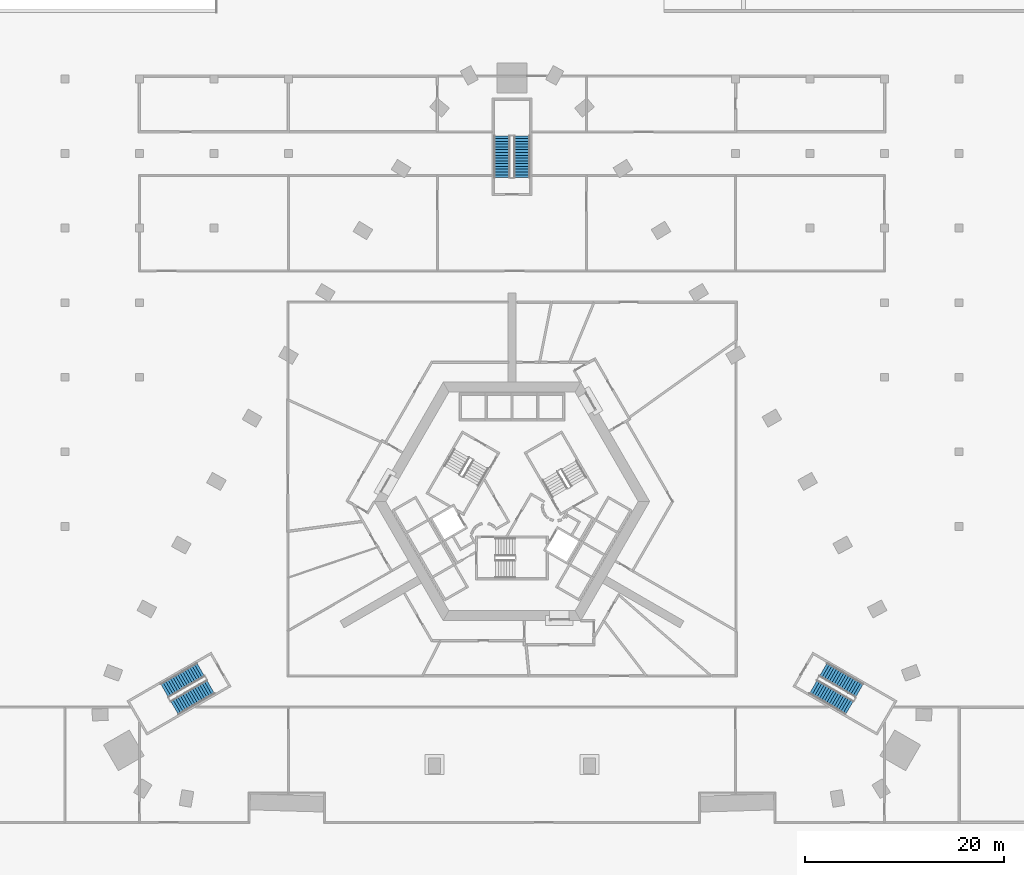
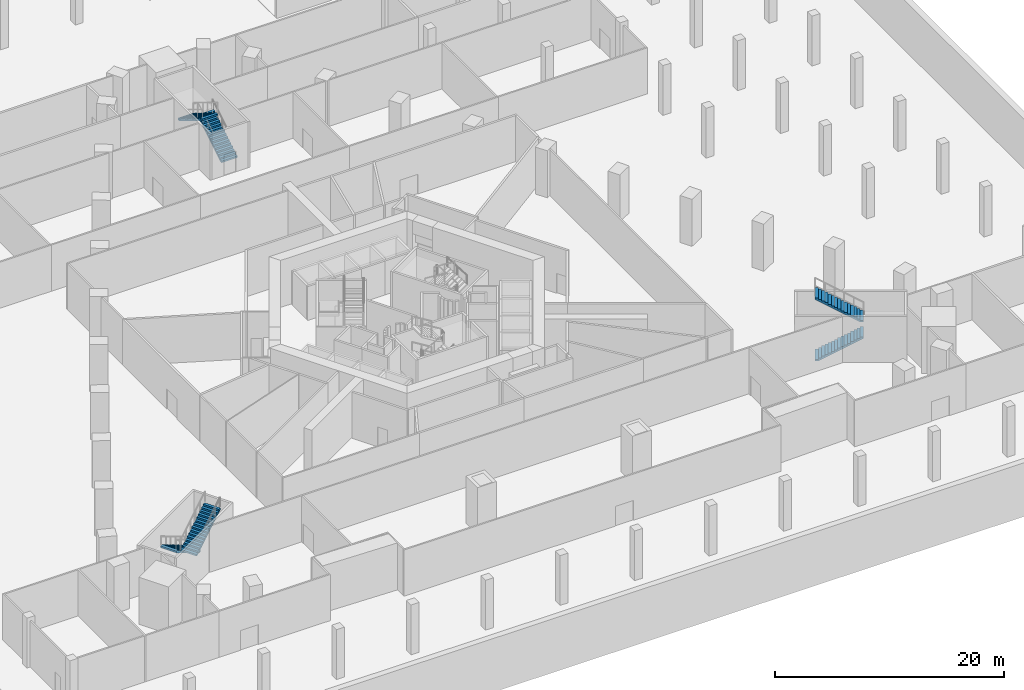
# One storey, part 14 of 20: 6 stair flights, 3 elements without a shape of their own.
"""IFC4 building model written with IfcOpenShell, lengths in metres."""

import ifcopenshell
import ifcopenshell.guid

model = None  # the IFC model being written
_history = None  # IfcOwnerHistory: only IFC2X3 demands one
_inside = {}  # id of a spatial element -> (the spatial element, [elements in it])
_under = {}  # id of a project, library or spatial element -> (it, [spatial elements below it])
_declared = {}  # id of a project -> (the project, [libraries it declares])
_typed = {}  # id of a type object -> (the type object, [elements of that type])
_made_of = {}  # id of a material, layer set ... -> (it, [elements and type objects made of it])


def new_model(schema):
    """Start an empty IFC model of exactly this schema.

    Asked for "IFC4X3", IfcOpenShell would pick the latest addendum, in which some entities
    have other attributes; the version numbers below select the first issue.
    IFC2X3 requires an IfcOwnerHistory on every rooted entity: one is made here for all.
    """
    global model, _history
    if schema == "IFC4X3":
        model = ifcopenshell.file(schema_version=(4, 3, 0, 0))
    else:
        model = ifcopenshell.file(schema=schema)
    _inside.clear()
    _under.clear()
    _declared.clear()
    _typed.clear()
    _made_of.clear()
    _history = None
    if model.schema == "IFC2X3":
        org = make("IfcOrganization", Name="unknown")
        user = make(
            "IfcPersonAndOrganization",
            ThePerson=make("IfcPerson", FamilyName="unknown"),
            TheOrganization=org,
        )
        app = make(
            "IfcApplication",
            ApplicationDeveloper=org,
            Version="unknown",
            ApplicationFullName="unknown",
            ApplicationIdentifier="unknown",
        )
        _history = make(
            "IfcOwnerHistory",
            OwningUser=user,
            OwningApplication=app,
            ChangeAction="ADDED",
            CreationDate=0,
        )
    return model


def make(cls, **values):
    """One entity of the class cls with the attributes given. An attribute that is None is left unset."""
    return model.create_entity(
        cls, **{name: value for name, value in values.items() if value is not None}
    )


def rooted(cls, **values):
    """An entity with a GlobalId (a new one), such as an element, a storey or a relation."""
    return make(cls, GlobalId=ifcopenshell.guid.new(), OwnerHistory=_history, **values)


def si_unit(unit_type, name, prefix=None):
    """IfcSIUnit, for example si_unit("LENGTHUNIT", "METRE", prefix="MILLI")."""
    return make("IfcSIUnit", UnitType=unit_type, Prefix=prefix, Name=name)


def assignment(units):
    """IfcUnitAssignment: the units of a project."""
    return None if units is None else make("IfcUnitAssignment", Units=units)


def point(xyz):
    """IfcCartesianPoint."""
    return None if xyz is None else make("IfcCartesianPoint", Coordinates=xyz)


def direction(xyz):
    """IfcDirection."""
    return None if xyz is None else make("IfcDirection", DirectionRatios=xyz)


def frame(location, z_axis=None, x_axis=None):
    """IfcAxis2Placement3D, a coordinate frame: its origin and axes. An axis left out is left unset."""
    return make(
        "IfcAxis2Placement3D",
        Location=point(location),
        Axis=direction(z_axis),
        RefDirection=direction(x_axis),
    )


def origin():
    """The frame at (0, 0, 0) with its axes left unset."""
    return frame((0.0, 0.0, 0.0))


def place(relative_to, where):
    """IfcLocalPlacement: puts the frame where relative to a parent placement (None: the world)."""
    return make(
        "IfcLocalPlacement", PlacementRelTo=relative_to, RelativePlacement=where
    )


def context(
    kind, dimensions, precision=None, world=None, true_north=None, identifier=None
):
    """IfcGeometricRepresentationContext, for example the 3D "Model" context."""
    return make(
        "IfcGeometricRepresentationContext",
        ContextIdentifier=identifier,
        ContextType=kind,
        CoordinateSpaceDimension=dimensions,
        Precision=precision,
        WorldCoordinateSystem=world,
        TrueNorth=true_north,
    )


def subcontext(parent, identifier, kind, view, scale=None):
    """IfcGeometricRepresentationSubContext, for example "Body" below "Model"."""
    return make(
        "IfcGeometricRepresentationSubContext",
        ContextIdentifier=identifier,
        ContextType=kind,
        ParentContext=parent,
        TargetScale=scale,
        TargetView=view,
    )


def project(units=None, contexts=None):
    """IfcProject with its units and contexts."""
    return rooted(
        "IfcProject",
        Name="project",
        RepresentationContexts=contexts,
        UnitsInContext=assignment(units),
    )


def spatial(cls, under=None, at=None, **own):
    """A site, building, storey or space (cls), placed at a placement, below another one or the project."""
    s = rooted(cls, ObjectPlacement=at, **own)
    if under is not None:
        _under.setdefault(under.id(), (under, []))[1].append(s)
    return s


def polyline(points):
    """IfcPolyline through the points."""
    return make("IfcPolyline", Points=[point(p) for p in points])


def outline(outer, holes=None, kind="AREA"):
    """IfcArbitraryClosedProfileDef: a profile drawn as a closed curve; with holes, ...WithVoids."""
    if holes is None:
        return make("IfcArbitraryClosedProfileDef", ProfileType=kind, OuterCurve=outer)
    return make(
        "IfcArbitraryProfileDefWithVoids",
        ProfileType=kind,
        OuterCurve=outer,
        InnerCurves=holes,
    )


def extrude(swept, where, along, depth):
    """IfcExtrudedAreaSolid: the profile swept, set in the frame where, extruded along a direction by depth."""
    return make(
        "IfcExtrudedAreaSolid",
        SweptArea=swept,
        Position=where,
        ExtrudedDirection=direction(along),
        Depth=depth,
    )


def shape(context_of_items, identifier, shape_type, items):
    """IfcShapeRepresentation: the items that make up one representation, for example the "Body"."""
    return make(
        "IfcShapeRepresentation",
        ContextOfItems=context_of_items,
        RepresentationIdentifier=identifier,
        RepresentationType=shape_type,
        Items=items,
    )


def material(Name=None, Category=None):
    """IfcMaterial."""
    return make("IfcMaterial", Name=Name, Category=Category)


def made_of(thing, what):
    """Note that an element or type object is made of a material, layer set ...; save() writes the relation."""
    if what is not None:
        _made_of.setdefault(what.id(), (what, []))[1].append(thing)
    return thing


def type_object(cls, material=None, **own):
    """A type object (cls), such as IfcWallType, which elements share."""
    return made_of(rooted(cls, **own), material)


def element(
    cls,
    number,
    at=None,
    inside=None,
    cuts=None,
    type_object=None,
    material=None,
    context=None,
    identifier="Body",
    shape_type=None,
    held_by="IfcProductDefinitionShape",
    body=None,
    shapes=None,
    **own,
):
    """One element of the class cls, such as IfcWall. Its Tag is "e" and its number.

    at: its placement. inside: the storey or other place that contains it. cuts: it is an
    opening in that element (IfcRelVoidsElement). A single representation is given by context,
    identifier, shape_type and body (its items); several are given by shapes. held_by: the class
    of the entity that holds the representations. save() writes the other relations.
    """
    e = rooted(cls, Tag="e%d" % number, ObjectPlacement=at, **own)
    if body is not None:
        shapes = [shape(context, identifier, shape_type, body)]
    if shapes is not None:
        e.Representation = make(held_by, Representations=shapes)
    if inside is not None:
        _inside.setdefault(inside.id(), (inside, []))[1].append(e)
    if cuts is not None:
        rooted(
            "IfcRelVoidsElement", RelatingBuildingElement=cuts, RelatedOpeningElement=e
        )
    if type_object is not None:
        _typed.setdefault(type_object.id(), (type_object, []))[1].append(e)
    return made_of(e, material)


def aggregate(whole, parts):
    """IfcRelAggregates: a whole, such as a stair, and the parts it consists of."""
    return rooted("IfcRelAggregates", RelatingObject=whole, RelatedObjects=parts)


def save(model, path):
    """Write the relations noted so far, then the file.

    IfcRelAggregates (storeys below a building ...), IfcRelContainedInSpatialStructure (elements
    in a storey), IfcRelDefinesByType, IfcRelAssociatesMaterial and IfcRelDeclares: one each for
    every whole, place, type object, material and project.
    """
    for whole, parts in _under.values():
        aggregate(whole, parts)
    for where, things in _inside.values():
        rooted(
            "IfcRelContainedInSpatialStructure",
            RelatedElements=things,
            RelatingStructure=where,
        )
    for kind, things in _typed.values():
        rooted("IfcRelDefinesByType", RelatedObjects=things, RelatingType=kind)
    for what, things in _made_of.values():
        rooted("IfcRelAssociatesMaterial", RelatedObjects=things, RelatingMaterial=what)
    for by, libraries in _declared.values():
        rooted("IfcRelDeclares", RelatingContext=by, RelatedDefinitions=libraries)
    model.write(path)


model = new_model("IFC4")

# Units and contexts
model_context = context("Model", 3, precision=1e-05, world=origin(), true_north=direction((0.0, 1.0)))
body_context = subcontext(model_context, "Body", "Model", "MODEL_VIEW")
ifc_project = project(units=[si_unit("LENGTHUNIT", "METRE"), si_unit("AREAUNIT", "SQUARE_METRE"), si_unit("VOLUMEUNIT", "CUBIC_METRE"), si_unit("PLANEANGLEUNIT", "RADIAN"), si_unit("MASSUNIT", "GRAM", prefix="KILO")], contexts=[model_context])

# Site, building, storey
site_placement = place(None, origin())
site = spatial("IfcSite", under=ifc_project, at=site_placement, CompositionType="ELEMENT")
building_placement = place(site_placement, origin())
building = spatial("IfcBuilding", under=site, at=building_placement, Name="Entoto Arch Interchange Tower", CompositionType="ELEMENT")
storey_placement = place(building_placement, frame((0.0, 0.0, -5.5)))
storey = spatial("IfcBuildingStorey", under=building, at=storey_placement, Name="B1", CompositionType="ELEMENT", Elevation=-5.5)

# Stair, stair flights
ifc_material = material(Name="Concrete C40/50", Category="concrete")
stair_type = type_object("IfcStairType", Name="PODIUM EXIT STAIR RC 1600", PredefinedType="HALF_TURN_STAIR", material=ifc_material)
stair_1_placement = place(storey_placement, origin())
stair_1 = element("IfcStair", 1, at=stair_1_placement, inside=storey, type_object=stair_type, Name="B1 Podium exit stair north", PredefinedType="HALF_TURN_STAIR")
stair_flight_type = type_object("IfcStairFlightType", Name="PODIUM EXIT STAIR FLIGHT RC", PredefinedType="STRAIGHT", material=ifc_material)
stair_flight_1_placement = place(storey_placement, frame((1.0, 35.10009765625, 0.0), z_axis=(0.0, 0.0, 1.0), x_axis=(0.0, 1.0, 0.0)))
stair_flight_1 = element("IfcStairFlight", 2, at=stair_flight_1_placement, type_object=stair_flight_type, Name="PST-N flight 1", NumberOfRisers=16, NumberOfTreads=15, PredefinedType="STRAIGHT", RiserHeight=0.171875, TreadLength=0.28, context=body_context, shape_type="SweptSolid", body=[
    extrude(outline(polyline([(-0.0029296875, 0.0), (-0.0029296875, 0.171875), (0.280029296875, 0.171875), (0.280029296875, 0.34375), (0.56005859375, 0.34375), (0.56005859375, 0.515625), (0.840087890625, 0.515625), (0.840087890625, 0.6875), (1.1201171875, 0.6875), (1.1201171875, 0.859375), (1.39990234375, 0.859375), (1.39990234375, 1.03125), (1.679931640625, 1.03125), (1.679931640625, 1.203125), (1.9599609375, 1.203125), (1.9599609375, 1.375), (2.239990234375, 1.375), (2.239990234375, 1.546875), (2.52001953125, 1.546875), (2.52001953125, 1.71875), (2.800048828125, 1.71875), (2.800048828125, 1.890625), (3.080078125, 1.890625), (3.080078125, 2.0625), (3.360107421875, 2.0625), (3.360107421875, 2.234375), (3.639892578125, 2.234375), (3.639892578125, 2.40625), (3.919921875, 2.40625), (3.919921875, 2.578125), (4.199951171875, 2.578125), (4.202880859375, 2.578125), (4.202880859375, 2.404052734375), (0.28662109375, 0.0), (-0.0029296875, 0.0)])), frame((0.0, 0.800048828125, 0.0), z_axis=(0.0, -1.0, 0.0), x_axis=(1.0, 0.0, 0.0)), (0.0, 0.0, 1.0), 1.60009765625),
])
stair_flight_2_placement = place(storey_placement, frame((-1.0, 39.300048828125, 2.75), z_axis=(0.0, 0.0, 1.0), x_axis=(0.0, -1.0, 0.0)))
stair_flight_2 = element("IfcStairFlight", 3, at=stair_flight_2_placement, type_object=stair_flight_type, Name="PST-N flight 2", NumberOfRisers=16, NumberOfTreads=15, PredefinedType="STRAIGHT", RiserHeight=0.171875, TreadLength=0.28, context=body_context, shape_type="SweptSolid", body=[
    extrude(outline(polyline([(-0.0029296875, 0.0), (-0.0029296875, 0.171875), (0.280029296875, 0.171875), (0.280029296875, 0.34375), (0.56005859375, 0.34375), (0.56005859375, 0.515625), (0.840087890625, 0.515625), (0.840087890625, 0.6875), (1.1201171875, 0.6875), (1.1201171875, 0.859375), (1.39990234375, 0.859375), (1.39990234375, 1.03125), (1.679931640625, 1.03125), (1.679931640625, 1.203125), (1.9599609375, 1.203125), (1.9599609375, 1.375), (2.239990234375, 1.375), (2.239990234375, 1.546875), (2.52001953125, 1.546875), (2.52001953125, 1.71875), (2.800048828125, 1.71875), (2.800048828125, 1.890625), (3.080078125, 1.890625), (3.080078125, 2.0625), (3.360107421875, 2.0625), (3.360107421875, 2.234375), (3.639892578125, 2.234375), (3.639892578125, 2.40625), (3.919921875, 2.40625), (3.919921875, 2.578125), (4.199951171875, 2.578125), (4.202880859375, 2.578125), (4.202880859375, 2.404052734375), (0.28662109375, 0.0), (-0.0029296875, 0.0)])), frame((0.0, 0.800048828125, 0.0), z_axis=(0.0, -1.0, 0.0), x_axis=(1.0, 0.0, 0.0)), (0.0, 0.0, 1.0), 1.60009765625),
])
aggregate(stair_1, [stair_flight_1, stair_flight_2])

stair_2_placement = place(storey_placement, origin())
stair_2 = element("IfcStair", 4, at=stair_2_placement, inside=storey, type_object=stair_type, Name="B1 Podium exit stair south-west", PredefinedType="HALF_TURN_STAIR")
stair_flight_3_placement = place(storey_placement, frame((-31.33056640625, -14.43408203125, 0.0), z_axis=(0.0, 0.0, 1.0), x_axis=(-0.866025403784, -0.5, 0.0)))
stair_flight_3 = element("IfcStairFlight", 5, at=stair_flight_3_placement, type_object=stair_flight_type, Name="PST-SW flight 1", NumberOfRisers=16, NumberOfTreads=15, PredefinedType="STRAIGHT", RiserHeight=0.171875, TreadLength=0.28, context=body_context, shape_type="SweptSolid", body=[
    extrude(outline(polyline([(-0.0029296875, 0.0), (-0.0029296875, 0.171875), (0.280029296875, 0.171875), (0.280029296875, 0.34375), (0.56005859375, 0.34375), (0.56005859375, 0.515625), (0.840087890625, 0.515625), (0.840087890625, 0.6875), (1.1201171875, 0.6875), (1.1201171875, 0.859375), (1.39990234375, 0.859375), (1.39990234375, 1.03125), (1.679931640625, 1.03125), (1.679931640625, 1.203125), (1.9599609375, 1.203125), (1.9599609375, 1.375), (2.239990234375, 1.375), (2.239990234375, 1.546875), (2.52001953125, 1.546875), (2.52001953125, 1.71875), (2.800048828125, 1.71875), (2.800048828125, 1.890625), (3.080078125, 1.890625), (3.080078125, 2.0625), (3.360107421875, 2.0625), (3.360107421875, 2.234375), (3.639892578125, 2.234375), (3.639892578125, 2.40625), (3.919921875, 2.40625), (3.919921875, 2.578125), (4.199951171875, 2.578125), (4.202880859375, 2.578125), (4.202880859375, 2.404052734375), (0.28662109375, 0.0), (-0.0029296875, 0.0)])), frame((0.0, 0.800048828125, 0.0), z_axis=(0.0, -1.0, 0.0), x_axis=(1.0, 0.0, 0.0)), (0.0, 0.0, 1.0), 1.60009765625),
])
stair_flight_4_placement = place(storey_placement, frame((-33.9677734375, -18.26611328125, 2.75), z_axis=(0.0, 0.0, 1.0), x_axis=(0.866025403784, 0.5, 0.0)))
stair_flight_4 = element("IfcStairFlight", 6, at=stair_flight_4_placement, type_object=stair_flight_type, Name="PST-SW flight 2", NumberOfRisers=16, NumberOfTreads=15, PredefinedType="STRAIGHT", RiserHeight=0.171875, TreadLength=0.28, context=body_context, shape_type="SweptSolid", body=[
    extrude(outline(polyline([(-0.0029296875, 0.0), (-0.0029296875, 0.171875), (0.280029296875, 0.171875), (0.280029296875, 0.34375), (0.56005859375, 0.34375), (0.56005859375, 0.515625), (0.840087890625, 0.515625), (0.840087890625, 0.6875), (1.1201171875, 0.6875), (1.1201171875, 0.859375), (1.39990234375, 0.859375), (1.39990234375, 1.03125), (1.679931640625, 1.03125), (1.679931640625, 1.203125), (1.9599609375, 1.203125), (1.9599609375, 1.375), (2.239990234375, 1.375), (2.239990234375, 1.546875), (2.52001953125, 1.546875), (2.52001953125, 1.71875), (2.800048828125, 1.71875), (2.800048828125, 1.890625), (3.080078125, 1.890625), (3.080078125, 2.0625), (3.360107421875, 2.0625), (3.360107421875, 2.234375), (3.639892578125, 2.234375), (3.639892578125, 2.40625), (3.919921875, 2.40625), (3.919921875, 2.578125), (4.199951171875, 2.578125), (4.202880859375, 2.578125), (4.202880859375, 2.404052734375), (0.28662109375, 0.0), (-0.0029296875, 0.0)])), frame((0.0, 0.800048828125, 0.0), z_axis=(0.0, -1.0, 0.0), x_axis=(1.0, 0.0, 0.0)), (0.0, 0.0, 1.0), 1.60009765625),
])
aggregate(stair_2, [stair_flight_3, stair_flight_4])

stair_3_placement = place(storey_placement, origin())
stair_3 = element("IfcStair", 7, at=stair_3_placement, inside=storey, type_object=stair_type, Name="B1 Podium exit stair south-east", PredefinedType="HALF_TURN_STAIR")
stair_flight_5_placement = place(storey_placement, frame((30.33056640625, -16.166015625, 0.0), z_axis=(0.0, 0.0, 1.0), x_axis=(0.866025403784, -0.5, 0.0)))
stair_flight_5 = element("IfcStairFlight", 8, at=stair_flight_5_placement, type_object=stair_flight_type, Name="PST-SE flight 1", NumberOfRisers=16, NumberOfTreads=15, PredefinedType="STRAIGHT", RiserHeight=0.171875, TreadLength=0.28, context=body_context, shape_type="SweptSolid", body=[
    extrude(outline(polyline([(-0.0029296875, 0.0), (-0.0029296875, 0.171875), (0.280029296875, 0.171875), (0.280029296875, 0.34375), (0.56005859375, 0.34375), (0.56005859375, 0.515625), (0.840087890625, 0.515625), (0.840087890625, 0.6875), (1.1201171875, 0.6875), (1.1201171875, 0.859375), (1.39990234375, 0.859375), (1.39990234375, 1.03125), (1.679931640625, 1.03125), (1.679931640625, 1.203125), (1.9599609375, 1.203125), (1.9599609375, 1.375), (2.239990234375, 1.375), (2.239990234375, 1.546875), (2.52001953125, 1.546875), (2.52001953125, 1.71875), (2.800048828125, 1.71875), (2.800048828125, 1.890625), (3.080078125, 1.890625), (3.080078125, 2.0625), (3.360107421875, 2.0625), (3.360107421875, 2.234375), (3.639892578125, 2.234375), (3.639892578125, 2.40625), (3.919921875, 2.40625), (3.919921875, 2.578125), (4.199951171875, 2.578125), (4.202880859375, 2.578125), (4.202880859375, 2.404052734375), (0.28662109375, 0.0), (-0.0029296875, 0.0)])), frame((0.0, 0.800048828125, 0.0), z_axis=(0.0, -1.0, 0.0), x_axis=(1.0, 0.0, 0.0)), (0.0, 0.0, 1.0), 1.60009765625),
])
stair_flight_6_placement = place(storey_placement, frame((34.9677734375, -16.533935546875, 2.75), z_axis=(0.0, 0.0, 1.0), x_axis=(-0.866025403784, 0.5, 0.0)))
stair_flight_6 = element("IfcStairFlight", 9, at=stair_flight_6_placement, type_object=stair_flight_type, Name="PST-SE flight 2", NumberOfRisers=16, NumberOfTreads=15, PredefinedType="STRAIGHT", RiserHeight=0.171875, TreadLength=0.28, context=body_context, shape_type="SweptSolid", body=[
    extrude(outline(polyline([(-0.0029296875, 0.0), (-0.0029296875, 0.171875), (0.280029296875, 0.171875), (0.280029296875, 0.34375), (0.56005859375, 0.34375), (0.56005859375, 0.515625), (0.840087890625, 0.515625), (0.840087890625, 0.6875), (1.1201171875, 0.6875), (1.1201171875, 0.859375), (1.39990234375, 0.859375), (1.39990234375, 1.03125), (1.679931640625, 1.03125), (1.679931640625, 1.203125), (1.9599609375, 1.203125), (1.9599609375, 1.375), (2.239990234375, 1.375), (2.239990234375, 1.546875), (2.52001953125, 1.546875), (2.52001953125, 1.71875), (2.800048828125, 1.71875), (2.800048828125, 1.890625), (3.080078125, 1.890625), (3.080078125, 2.0625), (3.360107421875, 2.0625), (3.360107421875, 2.234375), (3.639892578125, 2.234375), (3.639892578125, 2.40625), (3.919921875, 2.40625), (3.919921875, 2.578125), (4.199951171875, 2.578125), (4.202880859375, 2.578125), (4.202880859375, 2.404052734375), (0.28662109375, 0.0), (-0.0029296875, 0.0)])), frame((0.0, 0.800048828125, 0.0), z_axis=(0.0, -1.0, 0.0), x_axis=(1.0, 0.0, 0.0)), (0.0, 0.0, 1.0), 1.60009765625),
])
aggregate(stair_3, [stair_flight_5, stair_flight_6])

save(model, "model.ifc")
